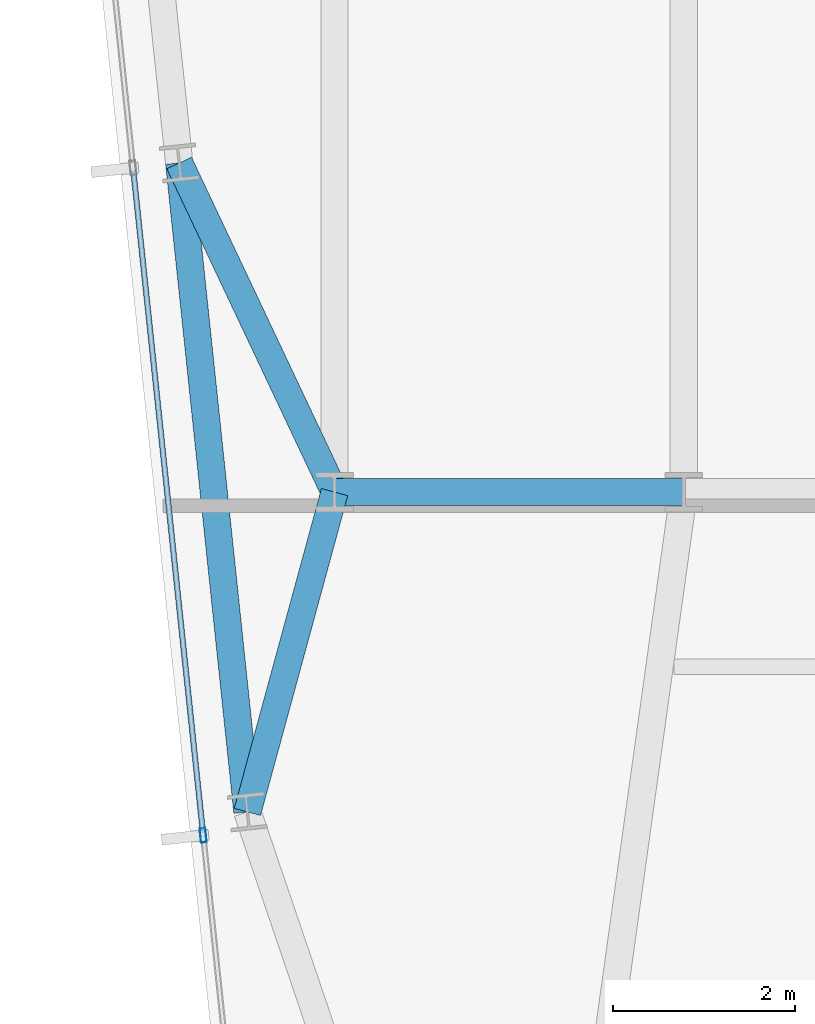
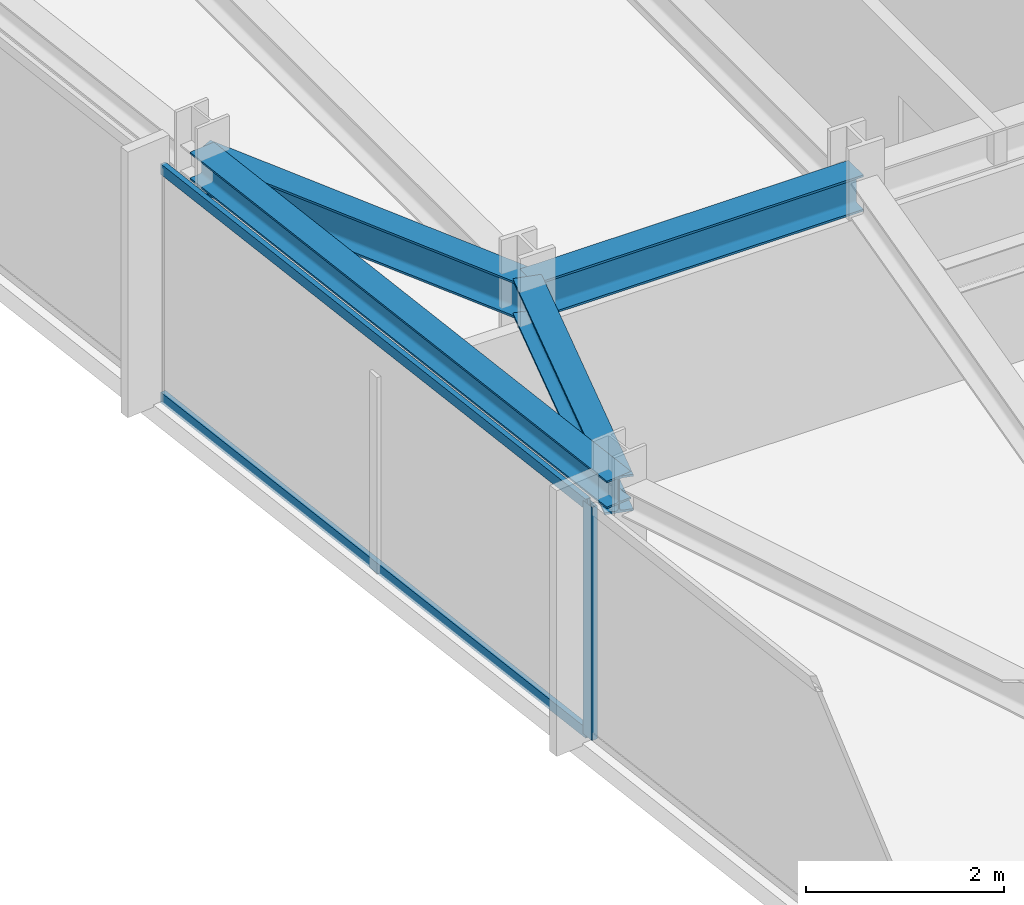
# One storey, part 5 of 33: 4 beams, 3 members, 1 element without a shape of its own.
"""IFC4 building model written with IfcOpenShell, lengths in metres."""

from ifc_helpers import new_model, si_unit, direction, frame, origin, origin_2d, place, context, subcontext, project, spatial, hollow_rectangle, i_section, extrude, material, material_profile, profile_set, type_object, element, aggregate, save


model = new_model("IFC4")

# Units and contexts
model_context = context("Model", 3, precision=1e-05, world=origin(), true_north=direction((0.0, 1.0)))
body_context = subcontext(model_context, "Body", "Model", "MODEL_VIEW")
ifc_project = project(units=[si_unit("LENGTHUNIT", "METRE"), si_unit("AREAUNIT", "SQUARE_METRE"), si_unit("VOLUMEUNIT", "CUBIC_METRE"), si_unit("PLANEANGLEUNIT", "RADIAN"), si_unit("MASSUNIT", "GRAM", prefix="KILO")], contexts=[model_context])

# Site, building, storey
site_placement = place(None, origin())
site = spatial("IfcSite", under=ifc_project, at=site_placement, CompositionType="ELEMENT")
building_placement = place(site_placement, origin())
building = spatial("IfcBuilding", under=site, at=building_placement, Name="Yelkora Congress Tower", CompositionType="ELEMENT")
storey_placement = place(building_placement, frame((0.0, 0.0, 244.10009765625)))
storey = spatial("IfcBuildingStorey", under=building, at=storey_placement, Name="L68", CompositionType="ELEMENT", Elevation=244.10009765625)

# Beams
ifc_material_1 = material(Name="Steel S355J2", Category="steel")
ifc_material_profile_1 = material_profile(ifc_material_1, i_section(OverallWidth=0.300048828125, OverallDepth=0.449951171875, WebThickness=0.013916015625, FlangeThickness=0.02587890625, FilletRadius=0.027099609375, at=origin_2d()), Name="HEB 450")
ifc_profile_set_1 = profile_set([ifc_material_profile_1], Name="Steel S355J2")
beam_type_1 = type_object("IfcBeamType", Name="BM-GIRD-HEB450", PredefinedType="BEAM", material=ifc_profile_set_1)
beam_1_placement = place(storey_placement, frame((19.199951171875, 25.199951171875, 2.65478515625), z_axis=(1.0, 0.0, 0.0), x_axis=(0.0, 1.0, 0.0)))
element("IfcBeam", 1, at=beam_1_placement, inside=storey, type_object=beam_type_1, Name="L68 Spine Grid D Girder 1", PredefinedType="BEAM", context=body_context, shape_type="SweptSolid", body=[
    extrude(i_section(OverallWidth=0.300048828125, OverallDepth=0.449951171875, WebThickness=0.013916015625, FlangeThickness=0.02587890625, FilletRadius=0.027099609375, at=origin_2d()), origin(), (0.0, 0.0, 1.0), 3.840087890625),
])
beam_2_placement = place(storey_placement, frame((18.2412109375, 21.68310546875, 2.65478515625), z_axis=(0.263015394472, 0.964791636713, 0.0), x_axis=(-0.964791636713, 0.263015394472, 0.0)))
element("IfcBeam", 2, at=beam_2_placement, inside=storey, type_object=beam_type_1, Name="L68 Primary Frame Girder W01", PredefinedType="BEAM", context=body_context, shape_type="SweptSolid", body=[
    extrude(i_section(OverallWidth=0.300048828125, OverallDepth=0.449951171875, WebThickness=0.013916015625, FlangeThickness=0.02587890625, FilletRadius=0.027099609375, at=origin_2d()), origin(), (0.0, 0.0, 1.0), 3.645263671875),
])
beam_3_placement = place(storey_placement, frame((17.4912109375, 28.81884765625, 2.65478515625), z_axis=(0.426968894221, -0.904266312193, 0.0), x_axis=(0.904266312193, 0.426968894221, 0.0)))
element("IfcBeam", 3, at=beam_3_placement, inside=storey, type_object=beam_type_1, Name="L68 Primary Frame Girder W02", PredefinedType="BEAM", context=body_context, shape_type="SweptSolid", body=[
    extrude(i_section(OverallWidth=0.300048828125, OverallDepth=0.449951171875, WebThickness=0.013916015625, FlangeThickness=0.02587890625, FilletRadius=0.027099609375, at=origin_2d()), origin(), (0.0, 0.0, 1.0), 4.001953125),
])
ifc_material_profile_2 = material_profile(ifc_material_1, i_section(OverallWidth=0.300048828125, OverallDepth=0.340087890625, WebThickness=0.011962890625, FlangeThickness=0.021484375, FilletRadius=0.027099609375, at=origin_2d()), Name="HEB 340")
ifc_profile_set_2 = profile_set([ifc_material_profile_2], Name="Steel S355J2")
beam_type_2 = type_object("IfcBeamType", Name="BM-SPAN-HEB340", PredefinedType="SPANDREL", material=ifc_profile_set_2)
beam_4_placement = place(storey_placement, frame((17.4912109375, 28.81884765625, 2.7099609375), z_axis=(0.104528914631, -0.994521847928, 0.0), x_axis=(0.994521847928, 0.104528914631, 0.0)))
element("IfcBeam", 4, at=beam_4_placement, inside=storey, type_object=beam_type_2, Name="L68 Perimeter Beam 1", PredefinedType="SPANDREL", context=body_context, shape_type="SweptSolid", body=[
    extrude(i_section(OverallWidth=0.300048828125, OverallDepth=0.340087890625, WebThickness=0.011962890625, FlangeThickness=0.021484375, FilletRadius=0.027099609375, at=origin_2d()), origin(), (0.0, 0.0, 1.0), 7.175048828125),
])

# Curtain wall, members
ifc_material_2 = material(Name="Anodised aluminium and insulated glass", Category="aluminium")
curtain_wall_type = type_object("IfcCurtainWallType", Name="CW-SYS-B4", PredefinedType="NOTDEFINED", material=ifc_material_2)
curtain_wall_placement = place(storey_placement, origin())
curtain_wall = element("IfcCurtainWall", 5, at=curtain_wall_placement, inside=storey, type_object=curtain_wall_type, Name="L68 Unitised Curtain Wall 5", PredefinedType="NOTDEFINED")
ifc_material_3 = material(Name="Anodised aluminium 6063-T6", Category="aluminium")
ifc_material_profile_3 = material_profile(ifc_material_3, hollow_rectangle(XDim=0.06494140625, YDim=0.159912109375, WallThickness=0.00390625, at=origin_2d()), Name="ALU 65x160x4")
ifc_profile_set_3 = profile_set([ifc_material_profile_3], Name="Anodised aluminium 6063-T6")
member_type_1 = type_object("IfcMemberType", Name="MEM-ML-B4", PredefinedType="MULLION", material=ifc_profile_set_3)
member_1_placement = place(storey_placement, frame((17.75537109375, 21.426025390625, 0.0), z_axis=(0.0, 0.0, 1.0), x_axis=(-0.994522145958, -0.104526079034, 0.0)))
member_1 = element("IfcMember", 6, at=member_1_placement, type_object=member_type_1, Name="CW-B4 mullion 2", PredefinedType="MULLION", context=body_context, shape_type="SweptSolid", body=[
    extrude(hollow_rectangle(XDim=0.06494140625, YDim=0.159912109375, WallThickness=0.00390625, at=origin_2d()), origin(), (0.0, 0.0, 1.0), 2.8798828125),
])
ifc_material_profile_4 = material_profile(ifc_material_3, hollow_rectangle(XDim=0.06005859375, YDim=0.1298828125, WallThickness=0.00390625, at=origin_2d()), Name="ALU 60x130x4")
ifc_profile_set_4 = profile_set([ifc_material_profile_4], Name="Anodised aluminium 6063-T6")
member_type_2 = type_object("IfcMemberType", Name="MEM-TR-B4", PredefinedType="USERDEFINED", material=ifc_profile_set_4)
member_2_placement = place(storey_placement, frame((17.751953125, 21.458251953125, 0.02978515625), z_axis=(-0.104528426736, 0.994521899208, 0.0), x_axis=(-0.994521899208, -0.104528426736, 0.0)))
member_2 = element("IfcMember", 7, at=member_2_placement, type_object=member_type_2, Name="CW-B4 transom 2.1", ObjectType="TRANSOM", PredefinedType="USERDEFINED", context=body_context, shape_type="SweptSolid", body=[
    extrude(hollow_rectangle(XDim=0.06005859375, YDim=0.1298828125, WallThickness=0.00390625, at=origin_2d()), origin(), (0.0, 0.0, 1.0), 7.315185546875),
])
member_3_placement = place(storey_placement, frame((17.751953125, 21.458251953125, 2.849853515625), z_axis=(-0.104528426736, 0.994521899208, 0.0), x_axis=(-0.994521899208, -0.104528426736, 0.0)))
member_3 = element("IfcMember", 8, at=member_3_placement, type_object=member_type_2, Name="CW-B4 transom 2.2", ObjectType="TRANSOM", PredefinedType="USERDEFINED", context=body_context, shape_type="SweptSolid", body=[
    extrude(hollow_rectangle(XDim=0.06005859375, YDim=0.1298828125, WallThickness=0.00390625, at=origin_2d()), origin(), (0.0, 0.0, 1.0), 7.315185546875),
])
aggregate(curtain_wall, [member_1, member_2, member_3])

save(model, "model.ifc")
